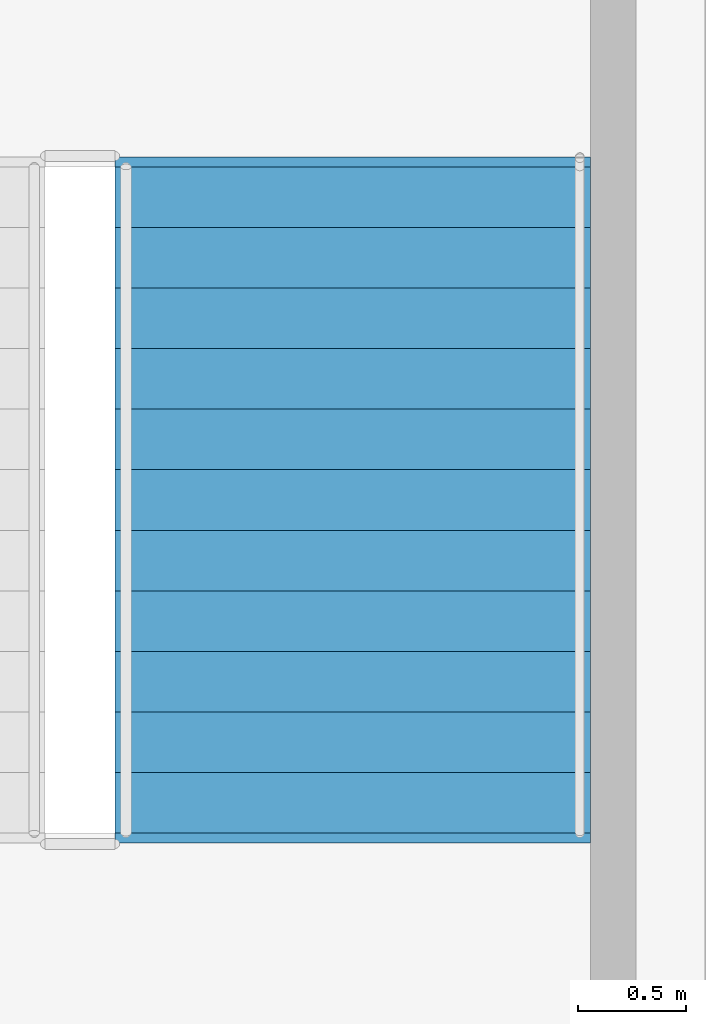
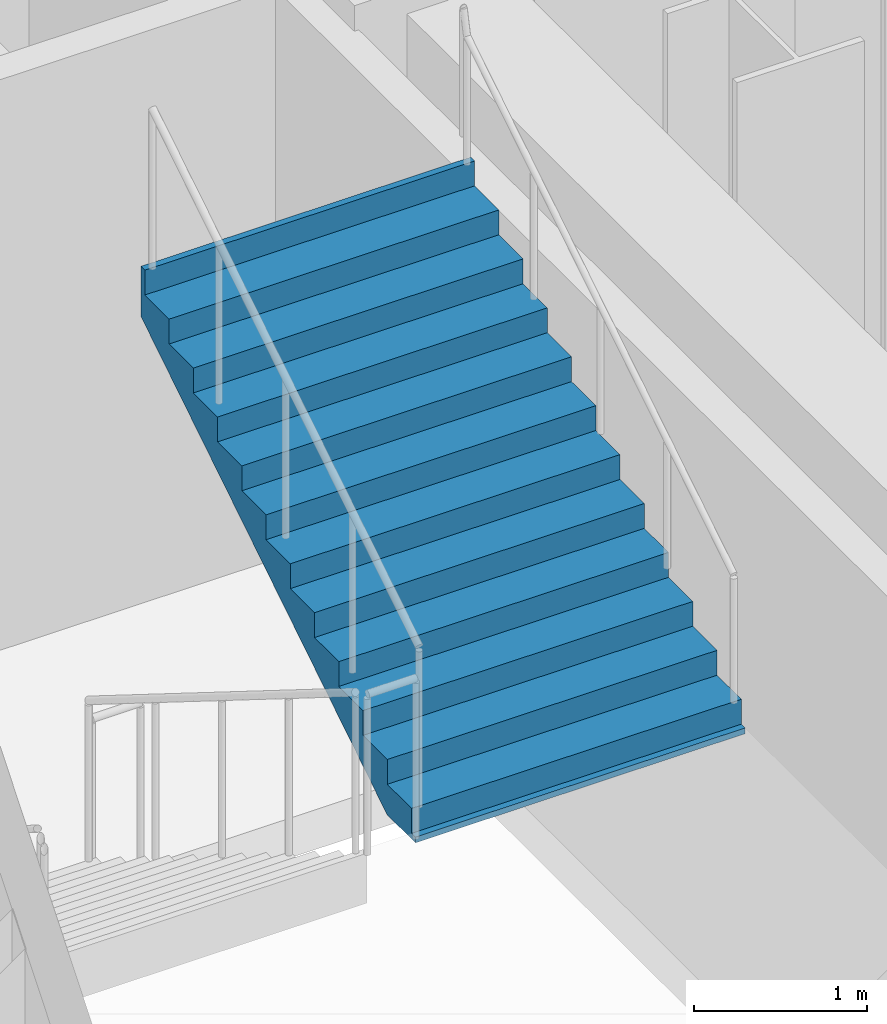
# One storey, part 10 of 14: 1 stair flight, 1 element without a shape of its own.
"""IFC4 building model written with IfcOpenShell, lengths in metres."""

from ifc_helpers import new_model, si_unit, direction, frame, origin, place, context, subcontext, project, spatial, polyline, outline, extrude, material, layer, layer_set, type_object, element, aggregate, save


model = new_model("IFC4")

# Units and contexts
model_context = context("Model", 3, precision=1e-05, world=origin(), true_north=direction((0.0, 1.0)))
body_context = subcontext(model_context, "Body", "Model", "MODEL_VIEW")
ifc_project = project(units=[si_unit("LENGTHUNIT", "METRE"), si_unit("AREAUNIT", "SQUARE_METRE"), si_unit("VOLUMEUNIT", "CUBIC_METRE"), si_unit("PLANEANGLEUNIT", "RADIAN"), si_unit("MASSUNIT", "GRAM", prefix="KILO")], contexts=[model_context])

# Site, building, storey
site_placement = place(None, origin())
site = spatial("IfcSite", under=ifc_project, at=site_placement, CompositionType="ELEMENT")
building_placement = place(site_placement, origin())
building = spatial("IfcBuilding", under=site, at=building_placement, Name="Velakula Bourse", CompositionType="ELEMENT")
storey_placement = place(building_placement, frame((0.0, 0.0, 27.0)))
storey = spatial("IfcBuildingStorey", under=building, at=storey_placement, Name="L06", CompositionType="ELEMENT", Elevation=27.0)

# Stair, stair flight
ifc_material = material(Name="Concrete M45 (fck 45 MPa)", Category="concrete")
stair_type = type_object("IfcStairType", Name="STR-DOG-435", PredefinedType="HALF_TURN_STAIR", material=ifc_material)
stair_placement = place(storey_placement, origin())
stair = element("IfcStair", 1, at=stair_placement, inside=storey, type_object=stair_type, Name="L06 East Core Exit Stair ST-E1", PredefinedType="HALF_TURN_STAIR")
ifc_layer = layer(ifc_material, 0.199951171875, Name="Concrete M45 (fck 45 MPa)", Category="concrete")
ifc_layer_set = layer_set([ifc_layer], Name="Concrete M45 (fck 45 MPa)")
stair_flight_type = type_object("IfcStairFlightType", Name="FLT-DOG-435", PredefinedType="STRAIGHT", material=ifc_layer_set)
stair_flight_placement = place(storey_placement, frame((16.720947265625, -5.280029296875, 2.10009765625), z_axis=(0.0, 0.0, 1.0), x_axis=(0.0, 1.0, 0.0)))
stair_flight = element("IfcStairFlight", 2, at=stair_flight_placement, type_object=stair_flight_type, Name="ST-E1 flight 2", NumberOfRisers=12, NumberOfTreads=11, PredefinedType="STRAIGHT", RiserHeight=0.175, TreadLength=0.28, context=body_context, shape_type="SweptSolid", body=[
    extrude(outline(polyline([(-0.044921875, -0.0400390625), (-0.044921875, -0.036865234375), (-0.044921875, -0.033935546875), (-0.044921875, -0.03076171875), (-0.044921875, -0.027587890625), (-0.044921875, -0.024658203125), (-0.044921875, -0.021484375), (-0.044921875, -0.0185546875), (-0.044921875, -0.015380859375), (-0.044921875, -0.01220703125), (-0.044921875, -0.00927734375), (-0.044921875, -0.006103515625), (-0.044921875, -0.003173828125), (-0.044921875, 0.0), (0.0, 0.0), (0.0, 0.175048828125), (0.280029296875, 0.175048828125), (0.280029296875, 0.35009765625), (0.56005859375, 0.35009765625), (0.56005859375, 0.52490234375), (0.840087890625, 0.52490234375), (0.840087890625, 0.699951171875), (1.1201171875, 0.699951171875), (1.1201171875, 0.875), (1.39990234375, 0.875), (1.39990234375, 1.050048828125), (1.679931640625, 1.050048828125), (1.679931640625, 1.22509765625), (1.9599609375, 1.22509765625), (1.9599609375, 1.39990234375), (2.239990234375, 1.39990234375), (2.239990234375, 1.574951171875), (2.52001953125, 1.574951171875), (2.52001953125, 1.75), (2.800048828125, 1.75), (2.800048828125, 1.925048828125), (3.080078125, 1.925048828125), (3.080078125, 2.10009765625), (3.125, 2.10009765625), (3.125, 2.074951171875), (3.125, 2.0498046875), (3.125, 2.024658203125), (3.125, 1.99951171875), (3.125, 1.974365234375), (3.125, 1.94921875), (3.125, 1.924072265625), (3.125, 1.89892578125), (3.125, 1.873779296875), (3.125, 1.8486328125), (3.125, 1.823486328125), (3.125, 1.798583984375), (3.125, 1.7734375), (3.125, 1.748291015625), (0.28271484375, -0.0400390625), (-0.044921875, -0.0400390625)])), frame((0.0, 1.09912109375, 0.0), z_axis=(0.0, -1.0, 0.0), x_axis=(1.0, 0.0, 0.0)), (0.0, 0.0, 1.0), 2.197998046875),
])
aggregate(stair, [stair_flight])

save(model, "model.ifc")
